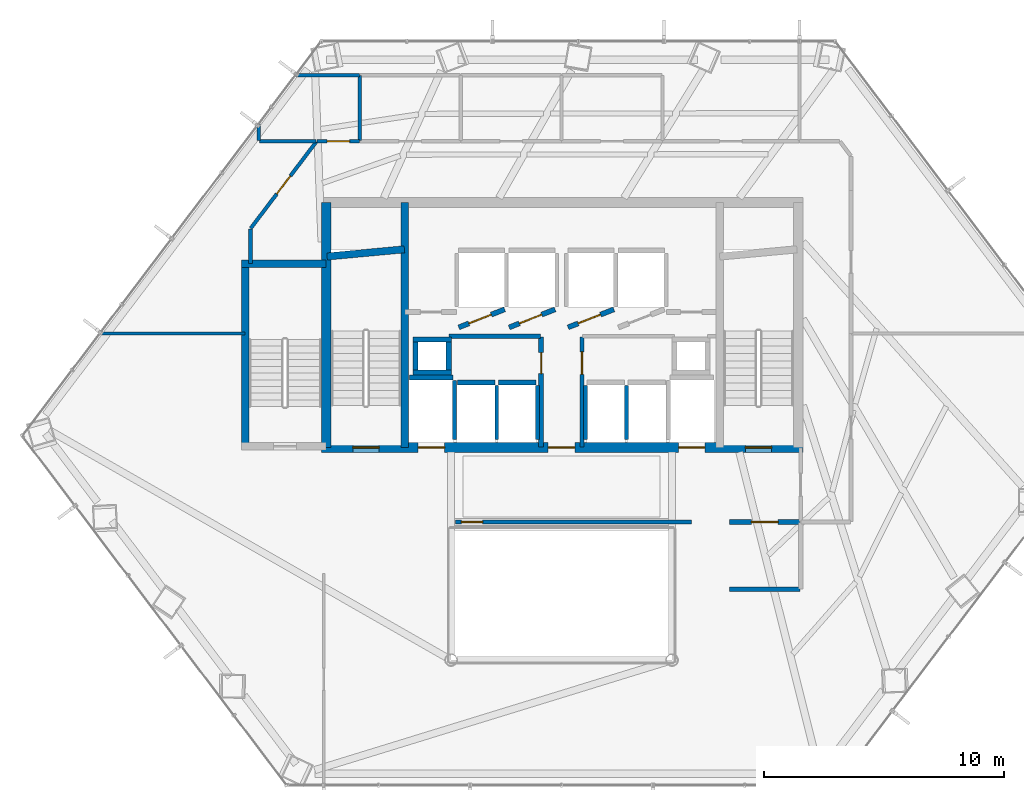
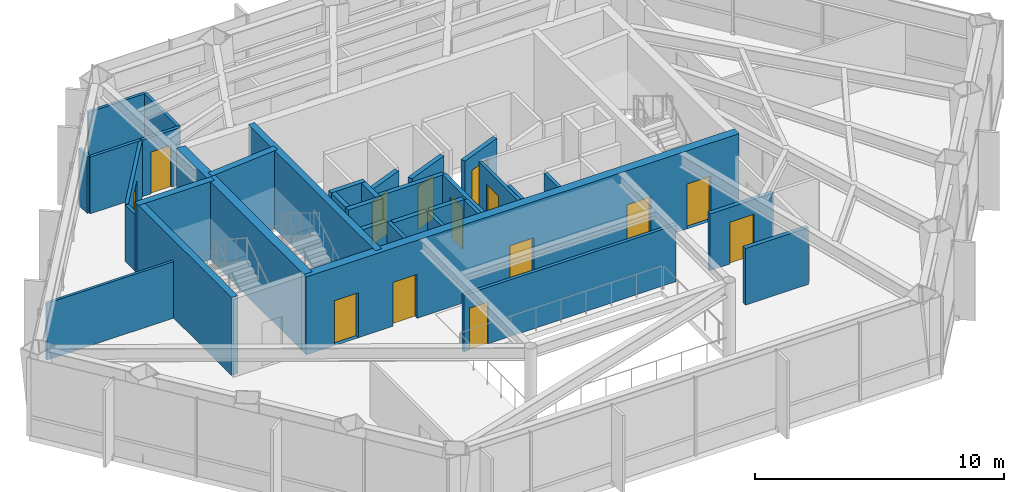
# One storey, part 23 of 26: 35 walls, 14 doors, 14 openings.
"""IFC4 building model written with IfcOpenShell, lengths in metres."""

from ifc_helpers import new_model, si_unit, direction, frame, frame_2d, origin, place, context, subcontext, project, spatial, rectangle, extrude, material, layer, layer_set, type_object, element, fill, save


model = new_model("IFC4")

# Units and contexts
model_context = context("Model", 3, precision=1e-05, world=origin(), true_north=direction((0.0, 1.0)))
body_context = subcontext(model_context, "Body", "Model", "MODEL_VIEW")
ifc_project = project(units=[si_unit("LENGTHUNIT", "METRE"), si_unit("AREAUNIT", "SQUARE_METRE"), si_unit("VOLUMEUNIT", "CUBIC_METRE"), si_unit("PLANEANGLEUNIT", "RADIAN"), si_unit("MASSUNIT", "GRAM", prefix="KILO")], contexts=[model_context])

# Site, building, storey
site_placement = place(None, origin())
site = spatial("IfcSite", under=ifc_project, at=site_placement, CompositionType="ELEMENT")
building_placement = place(site_placement, origin())
building = spatial("IfcBuilding", under=site, at=building_placement, Name="Zarrinselat Tower", CompositionType="ELEMENT")
storey_placement = place(building_placement, frame((0.0, 0.0, 35.699951171875)))
storey = spatial("IfcBuildingStorey", under=building, at=storey_placement, Name="L08", CompositionType="ELEMENT", Elevation=35.699951171875)

# Wall, opening, door
ifc_material_1 = material(Name="Concrete C40/50", Category="concrete")
ifc_layer_1 = layer(ifc_material_1, 0.18994140625)
ifc_layer_set_1 = layer_set([ifc_layer_1], Name="Concrete C40/50")
wall_type_1 = type_object("IfcWallType", Name="WAL-PART-EI120", PredefinedType="PARTITIONING", material=ifc_layer_set_1)
wall_1_placement = place(storey_placement, frame((45.385009765625, 30.14990234375, 0.0), z_axis=(0.0, 0.0, 1.0), x_axis=(1.0, 0.0, 0.0)))
wall_1 = element("IfcWall", 1, at=wall_1_placement, inside=storey, type_object=wall_type_1, Name="L08 Partition Wall 8", PredefinedType="PARTITIONING", context=body_context, shape_type="SweptSolid", body=[
    extrude(rectangle(XDim=2.945068359375, YDim=0.18994140625, at=frame_2d((1.47265625, 0.0))), origin(), (0.0, 0.0, 1.0), 2.777099609375),
])
opening_1_placement = place(wall_1_placement, frame((0.91259765625, 0.0, 0.0)))
opening_1 = element("IfcOpeningElement", 2, at=opening_1_placement, cuts=wall_1, Name="Opening ID-02", PredefinedType="OPENING", context=body_context, shape_type="SweptSolid", body=[
    extrude(rectangle(XDim=1.1201171875, YDim=2.050048828125, at=frame_2d((0.56005859375, 1.02490234375))), frame((0.0, 0.10498046875, 0.0), z_axis=(0.0, -1.0, 0.0), x_axis=(1.0, 0.0, 0.0)), (0.0, 0.0, 1.0), 0.2099609375),
])
ifc_material_2 = material(Name="Steel S355J2", Category="steel")
door_type_1 = type_object("IfcDoorType", Name="DR-INT-FD60-W", OperationType="NOTDEFINED", PredefinedType="DOOR", material=ifc_material_2)
door_1_placement = place(opening_1_placement, origin())
door_1 = element("IfcDoor", 3, at=door_1_placement, inside=storey, type_object=door_type_1, Name="L08 Interior Door P8", OperationType="SINGLE_SWING_LEFT", OverallHeight=2.050048828125, OverallWidth=1.1201171875, PredefinedType="DOOR", context=body_context, shape_type="SweptSolid", body=[
    extrude(rectangle(XDim=1.1201171875, YDim=2.050048828125, at=frame_2d((0.56005859375, 1.02490234375))), frame((0.0, 0.02490234375, 0.0), z_axis=(0.0, -1.0, 0.0), x_axis=(1.0, 0.0, 0.0)), (0.0, 0.0, 1.0), 0.050048828125),
])
fill(opening_1, door_1)

# Wall
wall_2_placement = place(storey_placement, frame((45.39990234375, 27.35009765625, 0.0), z_axis=(0.0, 0.0, 1.0), x_axis=(1.0, 0.0, 0.0)))
element("IfcWall", 4, at=wall_2_placement, inside=storey, type_object=wall_type_1, Name="L08 Partition Wall 11", PredefinedType="PARTITIONING", context=body_context, shape_type="SweptSolid", body=[
    extrude(rectangle(XDim=2.93017578125, YDim=0.18994140625, at=frame_2d((1.465087890625, 0.0))), origin(), (0.0, 0.0, 1.0), 2.777099609375),
])

# Wall, opening, door
ifc_material_3 = material(Name="Fire-Rated Gypsum Board Partition", Category="gypsum")
ifc_layer_2 = layer(ifc_material_3, 0.14990234375)
ifc_layer_set_2 = layer_set([ifc_layer_2], Name="Fire-Rated Gypsum Board Partition")
wall_type_2 = type_object("IfcWallType", Name="WAL-PART-EI60", PredefinedType="PARTITIONING", material=ifc_layer_set_2)
wall_3_placement = place(storey_placement, frame((39.25, 33.264892578125, 0.0), z_axis=(0.0, 0.0, 1.0), x_axis=(0.0, 1.0, 0.0)))
wall_3 = element("IfcWall", 5, at=wall_3_placement, inside=storey, type_object=wall_type_2, Name="L08 Partition Wall 7", PredefinedType="PARTITIONING", context=body_context, shape_type="SweptSolid", body=[
    extrude(rectangle(XDim=4.59521484375, YDim=0.14990234375, at=frame_2d((2.297607421875, 0.0))), origin(), (0.0, 0.0, 1.0), 2.777099609375),
])
opening_2_placement = place(wall_3_placement, frame((3.027587890625, 0.0, 0.0)))
opening_2 = element("IfcOpeningElement", 6, at=opening_2_placement, cuts=wall_3, Name="Opening ID-04", PredefinedType="OPENING", context=body_context, shape_type="SweptSolid", body=[
    extrude(rectangle(XDim=0.93994140625, YDim=2.050048828125, at=frame_2d((0.469970703125, 1.02490234375))), frame((0.0, 0.0849609375, 0.0), z_axis=(0.0, -1.0, 0.0), x_axis=(1.0, 0.0, 0.0)), (0.0, 0.0, 1.0), 0.169921875),
])
ifc_material_4 = material(Name="Fire-Rated Gypsum Board Partition")
door_type_2 = type_object("IfcDoorType", Name="DR-INT-FD30-ENT", OperationType="NOTDEFINED", PredefinedType="DOOR", material=ifc_material_4)
door_2_placement = place(opening_2_placement, origin())
door_2 = element("IfcDoor", 7, at=door_2_placement, inside=storey, type_object=door_type_2, Name="L08 Interior Door P7", OperationType="SINGLE_SWING_RIGHT", OverallHeight=2.050048828125, OverallWidth=0.93994140625, PredefinedType="DOOR", context=body_context, shape_type="SweptSolid", body=[
    extrude(rectangle(XDim=0.93994140625, YDim=2.050048828125, at=frame_2d((0.469970703125, 1.02490234375))), frame((0.0, 0.02490234375, 0.0), z_axis=(0.0, -1.0, 0.0), x_axis=(1.0, 0.0, 0.0)), (0.0, 0.0, 1.0), 0.050048828125),
])
fill(opening_2, door_2)

wall_4_placement = place(storey_placement, frame((33.985107421875, 30.14990234375, 0.0), z_axis=(0.0, 0.0, 1.0), x_axis=(1.0, 0.0, 0.0)))
wall_4 = element("IfcWall", 8, at=wall_4_placement, inside=storey, type_object=wall_type_2, Name="L08 Partition Wall 10", PredefinedType="PARTITIONING", context=body_context, shape_type="SweptSolid", body=[
    extrude(rectangle(XDim=9.829833984375, YDim=0.14990234375, at=frame_2d((4.9150390625, 0.0))), origin(), (0.0, 0.0, 1.0), 2.777099609375),
])
opening_3_placement = place(wall_4_placement, frame((0.25, 0.0, 0.0)))
opening_3 = element("IfcOpeningElement", 9, at=opening_3_placement, cuts=wall_4, Name="Opening ID-03", PredefinedType="OPENING", context=body_context, shape_type="SweptSolid", body=[
    extrude(rectangle(XDim=0.8798828125, YDim=2.050048828125, at=frame_2d((0.43994140625, 1.02490234375))), frame((0.0, 0.0849609375, 0.0), z_axis=(0.0, -1.0, 0.0), x_axis=(1.0, 0.0, 0.0)), (0.0, 0.0, 1.0), 0.169921875),
])
ifc_material_5 = material(Name="Steel S355J2", Category="steel")
door_type_3 = type_object("IfcDoorType", Name="DR-INT-FD60-S", OperationType="NOTDEFINED", PredefinedType="DOOR", material=ifc_material_5)
door_3_placement = place(opening_3_placement, origin())
door_3 = element("IfcDoor", 10, at=door_3_placement, inside=storey, type_object=door_type_3, Name="L08 Interior Door P10", OperationType="SINGLE_SWING_LEFT", OverallHeight=2.050048828125, OverallWidth=0.8798828125, PredefinedType="DOOR", context=body_context, shape_type="SweptSolid", body=[
    extrude(rectangle(XDim=0.8798828125, YDim=2.050048828125, at=frame_2d((0.43994140625, 1.02490234375))), frame((0.0, 0.02490234375, 0.0), z_axis=(0.0, -1.0, 0.0), x_axis=(1.0, 0.0, 0.0)), (0.0, 0.0, 1.0), 0.050048828125),
])
fill(opening_3, door_3)

wall_5_placement = place(storey_placement, frame((28.222900390625, 46.0, 0.0), z_axis=(0.0, 0.0, 1.0), x_axis=(1.0, 0.0, 0.0)))
wall_5 = element("IfcWall", 11, at=wall_5_placement, inside=storey, type_object=wall_type_2, Name="L08 Partition Wall 13", PredefinedType="PARTITIONING", context=body_context, shape_type="SweptSolid", body=[
    extrude(rectangle(XDim=1.772216796875, YDim=0.14990234375, at=frame_2d((0.88623046875, 0.0))), origin(), (0.0, 0.0, 1.0), 2.777099609375),
])
opening_4_placement = place(wall_5_placement, frame((0.416015625, 0.0, 0.0)))
opening_4 = element("IfcOpeningElement", 12, at=opening_4_placement, cuts=wall_5, Name="Opening ID-04", PredefinedType="OPENING", context=body_context, shape_type="SweptSolid", body=[
    extrude(rectangle(XDim=0.93994140625, YDim=2.050048828125, at=frame_2d((0.469970703125, 1.02490234375))), frame((0.0, 0.0849609375, 0.0), z_axis=(0.0, -1.0, 0.0), x_axis=(1.0, 0.0, 0.0)), (0.0, 0.0, 1.0), 0.169921875),
])
door_4_placement = place(opening_4_placement, origin())
door_4 = element("IfcDoor", 13, at=door_4_placement, inside=storey, type_object=door_type_2, Name="L08 Interior Door P13", OperationType="SINGLE_SWING_RIGHT", OverallHeight=2.050048828125, OverallWidth=0.93994140625, PredefinedType="DOOR", context=body_context, shape_type="SweptSolid", body=[
    extrude(rectangle(XDim=0.93994140625, YDim=2.050048828125, at=frame_2d((0.469970703125, 1.02490234375))), frame((0.0, 0.02490234375, 0.0), z_axis=(0.0, -1.0, 0.0), x_axis=(1.0, 0.0, 0.0)), (0.0, 0.0, 1.0), 0.050048828125),
])
fill(opening_4, door_4)

# Wall
wall_6_placement = place(storey_placement, frame((25.449951171875, 40.9150390625, 0.0), z_axis=(0.0, 0.0, 1.0), x_axis=(0.0, 1.0, 0.0)))
element("IfcWall", 14, at=wall_6_placement, inside=storey, type_object=wall_type_2, Name="L08 Partition Wall 19", PredefinedType="PARTITIONING", context=body_context, shape_type="SweptSolid", body=[
    extrude(rectangle(XDim=1.424560546875, YDim=0.14990234375, at=frame_2d((0.71240234375, 0.0))), origin(), (0.0, 0.0, 1.0), 2.777099609375),
])

# Wall, opening, door
wall_7_placement = place(storey_placement, frame((25.462158203125, 42.37548828125, 0.0), z_axis=(0.0, 0.0, 1.0), x_axis=(0.603832768772, 0.797111025741, 0.0)))
wall_7 = element("IfcWall", 15, at=wall_7_placement, inside=storey, type_object=wall_type_2, Name="L08 Partition Wall 20", PredefinedType="PARTITIONING", context=body_context, shape_type="SweptSolid", body=[
    extrude(rectangle(XDim=4.527099609375, YDim=0.14990234375, at=frame_2d((2.263671875, 0.0))), origin(), (0.0, 0.0, 1.0), 2.777099609375),
])
opening_5_placement = place(wall_7_placement, frame((1.79345703125, 0.0, 0.0)))
opening_5 = element("IfcOpeningElement", 16, at=opening_5_placement, cuts=wall_7, Name="Opening ID-04", PredefinedType="OPENING", context=body_context, shape_type="SweptSolid", body=[
    extrude(rectangle(XDim=0.93994140625, YDim=2.050048828125, at=frame_2d((0.469970703125, 1.02490234375))), frame((0.0, 0.0849609375, 0.0), z_axis=(0.0, -1.0, 0.0), x_axis=(1.0, 0.0, 0.0)), (0.0, 0.0, 1.0), 0.169921875),
])
door_5_placement = place(opening_5_placement, origin())
door_5 = element("IfcDoor", 17, at=door_5_placement, inside=storey, type_object=door_type_2, Name="L08 Interior Door P20", OperationType="SINGLE_SWING_LEFT", OverallHeight=2.050048828125, OverallWidth=0.93994140625, PredefinedType="DOOR", context=body_context, shape_type="SweptSolid", body=[
    extrude(rectangle(XDim=0.93994140625, YDim=2.050048828125, at=frame_2d((0.469970703125, 1.02490234375))), frame((0.0, 0.02490234375, 0.0), z_axis=(0.0, -1.0, 0.0), x_axis=(1.0, 0.0, 0.0)), (0.0, 0.0, 1.0), 0.050048828125),
])
fill(opening_5, door_5)

ifc_material_6 = material(Name="Concrete C40/50", Category="concrete")
ifc_layer_3 = layer(ifc_material_6, 0.199951171875)
ifc_layer_set_3 = layer_set([ifc_layer_3], Name="Concrete C40/50")
wall_type_3 = type_object("IfcWallType", Name="WAL-PART-PLANT", PredefinedType="PARTITIONING", material=ifc_layer_set_3)
wall_8_placement = place(storey_placement, frame((37.550048828125, 33.264892578125, 0.0), z_axis=(0.0, 0.0, 1.0), x_axis=(0.0, 1.0, 0.0)))
wall_8 = element("IfcWall", 18, at=wall_8_placement, inside=storey, type_object=wall_type_3, Name="L08 Partition Wall 1", PredefinedType="PARTITIONING", context=body_context, shape_type="SweptSolid", body=[
    extrude(rectangle(XDim=4.59521484375, YDim=0.199951171875, at=frame_2d((2.297607421875, 0.0))), origin(), (0.0, 0.0, 1.0), 2.777099609375),
])
opening_6_placement = place(wall_8_placement, frame((3.0576171875, 0.0, 0.0)))
opening_6 = element("IfcOpeningElement", 19, at=opening_6_placement, cuts=wall_8, Name="Opening ID-03", PredefinedType="OPENING", context=body_context, shape_type="SweptSolid", body=[
    extrude(rectangle(XDim=0.8798828125, YDim=2.050048828125, at=frame_2d((0.43994140625, 1.02490234375))), frame((0.0, 0.10986328125, 0.0), z_axis=(0.0, -1.0, 0.0), x_axis=(1.0, 0.0, 0.0)), (0.0, 0.0, 1.0), 0.219970703125),
])
door_6_placement = place(opening_6_placement, origin())
door_6 = element("IfcDoor", 20, at=door_6_placement, inside=storey, type_object=door_type_3, Name="L08 Interior Door P1", OperationType="SINGLE_SWING_LEFT", OverallHeight=2.050048828125, OverallWidth=0.8798828125, PredefinedType="DOOR", context=body_context, shape_type="SweptSolid", body=[
    extrude(rectangle(XDim=0.8798828125, YDim=2.050048828125, at=frame_2d((0.43994140625, 1.02490234375))), frame((0.0, 0.02490234375, 0.0), z_axis=(0.0, -1.0, 0.0), x_axis=(1.0, 0.0, 0.0)), (0.0, 0.0, 1.0), 0.050048828125),
])
fill(opening_6, door_6)

# Walls
wall_9_placement = place(storey_placement, frame((33.705078125, 37.8798828125, 0.0), z_axis=(0.0, 0.0, 1.0), x_axis=(1.0, 0.0, 0.0)))
element("IfcWall", 21, at=wall_9_placement, inside=storey, type_object=wall_type_3, Name="L08 Partition Wall 2", PredefinedType="PARTITIONING", context=body_context, shape_type="SweptSolid", body=[
    extrude(rectangle(XDim=3.824951171875, YDim=0.199951171875, at=frame_2d((1.91259765625, 0.0))), origin(), (0.0, 0.0, 1.0), 2.777099609375),
])
ifc_material_7 = material(Name="Fire-Rated Gypsum Board Partition", Category="gypsum")
ifc_layer_4 = layer(ifc_material_7, 0.1201171875)
ifc_layer_set_4 = layer_set([ifc_layer_4], Name="Fire-Rated Gypsum Board Partition")
wall_type_4 = type_object("IfcWallType", Name="WAL-PART-STD", PredefinedType="PARTITIONING", material=ifc_layer_set_4)
wall_10_placement = place(storey_placement, frame((19.201416015625, 38.0, 0.0), z_axis=(0.0, 0.0, 1.0), x_axis=(1.0, 0.0, 0.0)))
element("IfcWall", 22, at=wall_10_placement, inside=storey, type_object=wall_type_4, Name="L08 Partition Wall 37", PredefinedType="PARTITIONING", context=body_context, shape_type="SweptSolid", body=[
    extrude(rectangle(XDim=6.013671875, YDim=0.1201171875, at=frame_2d((3.0068359375, 0.0))), origin(), (0.0, 0.0, 1.0), 2.777099609375),
])
ifc_material_8 = material(Name="Fire-Rated Gypsum Board Partition", Category="gypsum")
ifc_layer_5 = layer(ifc_material_8, 0.135009765625)
ifc_layer_set_5 = layer_set([ifc_layer_5], Name="Fire-Rated Gypsum Board Partition")
wall_type_5 = type_object("IfcWallType", Name="WAL-PART-WET", PredefinedType="PARTITIONING", material=ifc_layer_set_5)
wall_11_placement = place(storey_placement, frame((30.0, 46.02001953125, 0.0), z_axis=(0.0, 0.0, 1.0), x_axis=(0.0, 1.0, 0.0)))
element("IfcWall", 23, at=wall_11_placement, inside=storey, type_object=wall_type_5, Name="L08 Partition Wall 26", PredefinedType="PARTITIONING", context=body_context, shape_type="SweptSolid", body=[
    extrude(rectangle(XDim=2.7099609375, YDim=0.135009765625, at=frame_2d((1.35498046875, 0.0))), origin(), (0.0, 0.0, 1.0), 2.777099609375),
])
wall_12_placement = place(storey_placement, frame((25.820068359375, 46.0, 0.0), z_axis=(0.0, 0.0, 1.0), x_axis=(1.0, 0.0, 0.0)))
element("IfcWall", 24, at=wall_12_placement, inside=storey, type_object=wall_type_5, Name="L08 Partition Wall 27", PredefinedType="PARTITIONING", context=body_context, shape_type="SweptSolid", body=[
    extrude(rectangle(XDim=2.36767578125, YDim=0.135009765625, at=frame_2d((1.183837890625, 0.0))), origin(), (0.0, 0.0, 1.0), 2.777099609375),
])
wall_13_placement = place(storey_placement, frame((25.800048828125, 46.02001953125, 0.0), z_axis=(0.0, 0.0, 1.0), x_axis=(0.0, 1.0, 0.0)))
element("IfcWall", 25, at=wall_13_placement, inside=storey, type_object=wall_type_5, Name="L08 Partition Wall 28", PredefinedType="PARTITIONING", context=body_context, shape_type="SweptSolid", body=[
    extrude(rectangle(XDim=0.69482421875, YDim=0.135009765625, at=frame_2d((0.347412109375, 0.0))), origin(), (0.0, 0.0, 1.0), 2.777099609375),
])
wall_14_placement = place(storey_placement, frame((27.345458984375, 48.75, 0.0), z_axis=(0.0, 0.0, 1.0), x_axis=(1.0, 0.0, 0.0)))
element("IfcWall", 26, at=wall_14_placement, inside=storey, type_object=wall_type_5, Name="L08 Partition Wall 29", PredefinedType="PARTITIONING", context=body_context, shape_type="SweptSolid", body=[
    extrude(rectangle(XDim=2.634521484375, YDim=0.135009765625, at=frame_2d((1.3173828125, 0.0))), origin(), (0.0, 0.0, 1.0), 2.777099609375),
])
ifc_material_9 = material(Name="Concrete C40/50", Category="concrete")
ifc_layer_6 = layer(ifc_material_9, 0.2099609375)
ifc_layer_set_6 = layer_set([ifc_layer_6], Name="Concrete C40/50")
wall_type_6 = type_object("IfcWallType", Name="WAL-SHAFT-210", PredefinedType="SOLIDWALL", material=ifc_layer_set_6)
wall_15_placement = place(storey_placement, frame((32.080078125, 36.155029296875, 0.0), z_axis=(0.0, 0.0, 1.0), x_axis=(1.0, 0.0, 0.0)))
element("IfcWall", 27, at=wall_15_placement, inside=storey, type_object=wall_type_6, Name="L08 Lift FFL1 North Shaft Wall", PredefinedType="SOLIDWALL", context=body_context, shape_type="SweptSolid", body=[
    extrude(rectangle(XDim=1.7998046875, YDim=0.2099609375, at=frame_2d((0.89990234375, 0.0))), origin(), (0.0, 0.0, 1.0), 2.7919921875),
])
wall_16_placement = place(storey_placement, frame((33.949951171875, 33.580078125, 0.0), z_axis=(0.0, 0.0, 1.0), x_axis=(0.0, 1.0, 0.0)))
element("IfcWall", 28, at=wall_16_placement, inside=storey, type_object=wall_type_6, Name="L08 Lift FFL1 E Shaft Wall", PredefinedType="SOLIDWALL", context=body_context, shape_type="SweptSolid", body=[
    extrude(rectangle(XDim=2.449951171875, YDim=0.159912109375, at=frame_2d((1.22509765625, 0.0))), origin(), (0.0, 0.0, 1.0), 2.7919921875),
])

# Wall, opening, door
wall_17_placement = place(storey_placement, frame((34.1201171875, 38.25, 0.0), z_axis=(0.0, 0.0, 1.0), x_axis=(0.930804993012, 0.36551616241, 0.0)))
wall_17 = element("IfcWall", 29, at=wall_17_placement, inside=storey, type_object=wall_type_6, Name="L08 Lift PL1 Front Shaft Wall", PredefinedType="SOLIDWALL", context=body_context, shape_type="SweptSolid", body=[
    extrude(rectangle(XDim=2.052001953125, YDim=0.2099609375, at=frame_2d((1.02587890625, 0.0))), origin(), (0.0, 0.0, 1.0), 2.7919921875),
])
opening_7_placement = place(wall_17_placement, frame((0.455078125, 0.0, 0.0)))
opening_7 = element("IfcOpeningElement", 30, at=opening_7_placement, cuts=wall_17, Name="Opening LD-PL1", PredefinedType="OPENING", context=body_context, shape_type="SweptSolid", body=[
    extrude(rectangle(XDim=1.0, YDim=2.10009765625, at=frame_2d((0.5, 1.050048828125))), frame((0.0, 0.114990234375, 0.0), z_axis=(0.0, -1.0, 0.0), x_axis=(1.0, 0.0, 0.0)), (0.0, 0.0, 1.0), 0.22998046875),
])
ifc_material_10 = material(Name="Steel S355J2", Category="steel")
door_type_4 = type_object("IfcDoorType", Name="DR-LIFT-PS-1000", OperationType="NOTDEFINED", PredefinedType="DOOR", material=ifc_material_10)
door_7_placement = place(opening_7_placement, origin())
door_7 = element("IfcDoor", 31, at=door_7_placement, inside=storey, type_object=door_type_4, Name="L08 Lift PL1 Sliding Landing Door", OperationType="SLIDING_TO_LEFT", OverallHeight=2.10009765625, OverallWidth=1.0, PredefinedType="DOOR", context=body_context, shape_type="SweptSolid", body=[
    extrude(rectangle(XDim=1.0, YDim=2.10009765625, at=frame_2d((0.5, 1.050048828125))), frame((0.0, 0.02490234375, 0.0), z_axis=(0.0, -1.0, 0.0), x_axis=(1.0, 0.0, 0.0)), (0.0, 0.0, 1.0), 0.050048828125),
])
fill(opening_7, door_7)

wall_18_placement = place(storey_placement, frame((36.219970703125, 38.25, 0.0), z_axis=(0.0, 0.0, 1.0), x_axis=(0.930804993012, 0.36551616241, 0.0)))
wall_18 = element("IfcWall", 32, at=wall_18_placement, inside=storey, type_object=wall_type_6, Name="L08 Lift PL2 Front Shaft Wall", PredefinedType="SOLIDWALL", context=body_context, shape_type="SweptSolid", body=[
    extrude(rectangle(XDim=2.052001953125, YDim=0.2099609375, at=frame_2d((1.02587890625, 0.0))), origin(), (0.0, 0.0, 1.0), 2.7919921875),
])
opening_8_placement = place(wall_18_placement, frame((0.455078125, 0.0, 0.0)))
opening_8 = element("IfcOpeningElement", 33, at=opening_8_placement, cuts=wall_18, Name="Opening LD-PL2", PredefinedType="OPENING", context=body_context, shape_type="SweptSolid", body=[
    extrude(rectangle(XDim=1.0, YDim=2.10009765625, at=frame_2d((0.5, 1.050048828125))), frame((0.0, 0.114990234375, 0.0), z_axis=(0.0, -1.0, 0.0), x_axis=(1.0, 0.0, 0.0)), (0.0, 0.0, 1.0), 0.22998046875),
])
door_8_placement = place(opening_8_placement, origin())
door_8 = element("IfcDoor", 34, at=door_8_placement, inside=storey, type_object=door_type_4, Name="L08 Lift PL2 Sliding Landing Door", OperationType="SLIDING_TO_RIGHT", OverallHeight=2.10009765625, OverallWidth=1.0, PredefinedType="DOOR", context=body_context, shape_type="SweptSolid", body=[
    extrude(rectangle(XDim=1.0, YDim=2.10009765625, at=frame_2d((0.5, 1.050048828125))), frame((0.0, 0.02490234375, 0.0), z_axis=(0.0, -1.0, 0.0), x_axis=(1.0, 0.0, 0.0)), (0.0, 0.0, 1.0), 0.050048828125),
])
fill(opening_8, door_8)

wall_19_placement = place(storey_placement, frame((38.669921875, 38.25, 0.0), z_axis=(0.0, 0.0, 1.0), x_axis=(0.930820886763, 0.3654756856, 0.0)))
wall_19 = element("IfcWall", 35, at=wall_19_placement, inside=storey, type_object=wall_type_6, Name="L08 Lift PL3 Front Shaft Wall", PredefinedType="SOLIDWALL", context=body_context, shape_type="SweptSolid", body=[
    extrude(rectangle(XDim=2.052001953125, YDim=0.2099609375, at=frame_2d((1.02587890625, 0.0))), origin(), (0.0, 0.0, 1.0), 2.7919921875),
])
opening_9_placement = place(wall_19_placement, frame((0.455078125, 0.0, 0.0)))
opening_9 = element("IfcOpeningElement", 36, at=opening_9_placement, cuts=wall_19, Name="Opening LD-PL3", PredefinedType="OPENING", context=body_context, shape_type="SweptSolid", body=[
    extrude(rectangle(XDim=1.0, YDim=2.10009765625, at=frame_2d((0.5, 1.050048828125))), frame((0.0, 0.114990234375, 0.0), z_axis=(0.0, -1.0, 0.0), x_axis=(1.0, 0.0, 0.0)), (0.0, 0.0, 1.0), 0.22998046875),
])
door_9_placement = place(opening_9_placement, origin())
door_9 = element("IfcDoor", 37, at=door_9_placement, inside=storey, type_object=door_type_4, Name="L08 Lift PL3 Sliding Landing Door", OperationType="SLIDING_TO_LEFT", OverallHeight=2.10009765625, OverallWidth=1.0, PredefinedType="DOOR", context=body_context, shape_type="SweptSolid", body=[
    extrude(rectangle(XDim=1.0, YDim=2.10009765625, at=frame_2d((0.5, 1.050048828125))), frame((0.0, 0.02490234375, 0.0), z_axis=(0.0, -1.0, 0.0), x_axis=(1.0, 0.0, 0.0)), (0.0, 0.0, 1.0), 0.050048828125),
])
fill(opening_9, door_9)

# Walls
wall_20_placement = place(storey_placement, frame((34.070068359375, 35.955078125, 0.0), z_axis=(0.0, 0.0, 1.0), x_axis=(1.0, 0.0, 0.0)))
element("IfcWall", 38, at=wall_20_placement, inside=storey, type_object=wall_type_6, Name="L08 Lift PL5 North Shaft Wall", PredefinedType="SOLIDWALL", context=body_context, shape_type="SweptSolid", body=[
    extrude(rectangle(XDim=1.559814453125, YDim=0.2099609375, at=frame_2d((0.77978515625, 0.0))), origin(), (0.0, 0.0, 1.0), 2.7919921875),
])
wall_21_placement = place(storey_placement, frame((35.699951171875, 33.580078125, 0.0), z_axis=(0.0, 0.0, 1.0), x_axis=(0.0, 1.0, 0.0)))
element("IfcWall", 39, at=wall_21_placement, inside=storey, type_object=wall_type_6, Name="L08 Lift PL5 E Shaft Wall", PredefinedType="SOLIDWALL", context=body_context, shape_type="SweptSolid", body=[
    extrude(rectangle(XDim=2.25, YDim=0.159912109375, at=frame_2d((1.125, 0.0))), origin(), (0.0, 0.0, 1.0), 2.7919921875),
])
wall_22_placement = place(storey_placement, frame((35.77001953125, 35.955078125, 0.0), z_axis=(0.0, 0.0, 1.0), x_axis=(1.0, 0.0, 0.0)))
element("IfcWall", 40, at=wall_22_placement, inside=storey, type_object=wall_type_6, Name="L08 Lift PL6 North Shaft Wall", PredefinedType="SOLIDWALL", context=body_context, shape_type="SweptSolid", body=[
    extrude(rectangle(XDim=1.56005859375, YDim=0.2099609375, at=frame_2d((0.780029296875, 0.0))), origin(), (0.0, 0.0, 1.0), 2.7919921875),
])
for number, where, z_axis, x_axis, name in (
    (41, (37.39990234375, 33.580078125, 0.0), (0.0, 0.0, 1.0), (0.0, 1.0, 0.0), "L08 Lift PL6 E Shaft Wall"),
    (42, (39.39990234375, 33.580078125, 0.0), (0.0, 0.0, 1.0), (0.0, 1.0, 0.0), "L08 Lift PL8 W Shaft Wall"),
    (43, (41.10009765625, 33.580078125, 0.0), (0.0, 0.0, 1.0), (0.0, 1.0, 0.0), "L08 Lift PL8 E Shaft Wall"),
):
    element("IfcWall", number, at=place(storey_placement, frame(where, z_axis=z_axis, x_axis=x_axis)), inside=storey, type_object=wall_type_6, Name=name, PredefinedType="SOLIDWALL", context=body_context, shape_type="SweptSolid", body=[
        extrude(rectangle(XDim=2.25, YDim=0.159912109375, at=frame_2d((1.125, 0.0))), origin(), (0.0, 0.0, 1.0), 2.7919921875),
    ])
for number, where, z_axis, x_axis, name in (
    (44, (32.2099609375, 36.375, 0.0), (0.0, 0.0, 1.0), (1.0, 0.0, 0.0), "L08 Core Riser RSR-W S Shaft Wall"),
    (45, (32.2099609375, 37.7451171875, 0.0), (0.0, 0.0, 1.0), (1.0, 0.0, 0.0), "L08 Core Riser RSR-W N Shaft Wall"),
):
    element("IfcWall", number, at=place(storey_placement, frame(where, z_axis=z_axis, x_axis=x_axis)), inside=storey, type_object=wall_type_6, Name=name, PredefinedType="SOLIDWALL", context=body_context, shape_type="SweptSolid", body=[
        extrude(rectangle(XDim=1.60009765625, YDim=0.2099609375, at=frame_2d((0.800048828125, 0.0))), origin(), (0.0, 0.0, 1.0), 3.820068359375),
    ])
for number, where, z_axis, x_axis, name in (
    (46, (32.31494140625, 36.485107421875, 0.0), (0.0, 0.0, 1.0), (0.0, 1.0, 0.0), "L08 Core Riser RSR-W W Shaft Wall"),
    (47, (33.705078125, 36.485107421875, 0.0), (0.0, 0.0, 1.0), (0.0, 1.0, 0.0), "L08 Core Riser RSR-W E Shaft Wall"),
):
    element("IfcWall", number, at=place(storey_placement, frame(where, z_axis=z_axis, x_axis=x_axis)), inside=storey, type_object=wall_type_6, Name=name, PredefinedType="SOLIDWALL", context=body_context, shape_type="SweptSolid", body=[
        extrude(rectangle(XDim=1.14990234375, YDim=0.2099609375, at=frame_2d((0.574951171875, 0.0))), origin(), (0.0, 0.0, 1.0), 3.820068359375),
    ])
ifc_material_11 = material(Name="Concrete C40/50", Category="concrete")
ifc_layer_7 = layer(ifc_material_11, 0.300048828125)
ifc_layer_set_7 = layer_set([ifc_layer_7], Name="Concrete C40/50")
wall_type_7 = type_object("IfcWallType", Name="WAL-SHEAR-300", PredefinedType="SHEAR", material=ifc_layer_set_7)
wall_23_placement = place(storey_placement, frame((31.8701171875, 33.25, 0.0), z_axis=(0.0, 0.0, 1.0), x_axis=(0.0, 1.0, 0.0)))
element("IfcWall", 48, at=wall_23_placement, inside=storey, type_object=wall_type_7, Name="L08 Core Shear Wall ST1E", PredefinedType="SHEAR", context=body_context, shape_type="SweptSolid", body=[
    extrude(rectangle(XDim=10.199951171875, YDim=0.300048828125, at=frame_2d((5.10009765625, 0.0))), origin(), (0.0, 0.0, 1.0), 3.820068359375),
])
wall_24_placement = place(storey_placement, frame((28.639892578125, 41.199951171875, 0.0), z_axis=(0.0, 0.0, 1.0), x_axis=(0.995687118776, 0.092774789157, 0.0)))
element("IfcWall", 49, at=wall_24_placement, inside=storey, type_object=wall_type_7, Name="L08 Stair 1 North Shaft Wall", PredefinedType="SHEAR", context=body_context, shape_type="SweptSolid", body=[
    extrude(rectangle(XDim=3.234130859375, YDim=0.300048828125, at=frame_2d((1.6171875, 0.0))), origin(), (0.0, 0.0, 1.0), 3.820068359375),
])
wall_25_placement = place(storey_placement, frame((25.080078125, 40.89990234375, 0.0), z_axis=(0.0, 0.0, 1.0), x_axis=(1.0, 0.0, 0.0)))
element("IfcWall", 50, at=wall_25_placement, inside=storey, type_object=wall_type_7, Name="L08 Stair 3 North Shear Wall", PredefinedType="SHEAR", context=body_context, shape_type="SweptSolid", body=[
    extrude(rectangle(XDim=3.52001953125, YDim=0.300048828125, at=frame_2d((1.760009765625, 0.0))), origin(), (0.0, 0.0, 1.0), 3.820068359375),
])
wall_26_placement = place(storey_placement, frame((25.22998046875, 33.300048828125, 0.0), z_axis=(0.0, 0.0, 1.0), x_axis=(0.0, 1.0, 0.0)))
element("IfcWall", 51, at=wall_26_placement, inside=storey, type_object=wall_type_7, Name="L08 Stair 3 West Shear Wall", PredefinedType="SHEAR", context=body_context, shape_type="SweptSolid", body=[
    extrude(rectangle(XDim=7.599853515625, YDim=0.300048828125, at=frame_2d((3.7998046875, 0.0))), origin(), (0.0, 0.0, 1.0), 3.820068359375),
])

# Wall, openings, doors
ifc_material_12 = material(Name="Concrete C60/75", Category="concrete")
ifc_layer_8 = layer(ifc_material_12, 0.39990234375)
ifc_layer_set_8 = layer_set([ifc_layer_8], Name="Concrete C60/75")
wall_type_8 = type_object("IfcWallType", Name="WAL-SHEAR-400", PredefinedType="SHEAR", material=ifc_layer_set_8)
wall_27_placement = place(storey_placement, frame((28.39990234375, 33.25, 0.0), z_axis=(0.0, 0.0, 1.0), x_axis=(1.0, 0.0, 0.0)))
wall_27 = element("IfcWall", 52, at=wall_27_placement, inside=storey, type_object=wall_type_8, Name="L08 South Core Shear Wall", PredefinedType="SHEAR", context=body_context, shape_type="SweptSolid", body=[
    extrude(rectangle(XDim=20.06005859375, YDim=0.39990234375, at=frame_2d((10.030029296875, 0.0))), origin(), (0.0, 0.0, 1.0), 3.820068359375),
])
opening_10_placement = place(wall_27_placement, frame((4.030029296875, 0.0, 0.0)))
opening_10 = element("IfcOpeningElement", 53, at=opening_10_placement, cuts=wall_27, Name="Opening LD-FFL1", PredefinedType="OPENING", context=body_context, shape_type="SweptSolid", body=[
    extrude(rectangle(XDim=1.10009765625, YDim=2.14990234375, at=frame_2d((0.550048828125, 1.074951171875))), frame((0.0, 0.2099609375, 0.0), z_axis=(0.0, -1.0, 0.0), x_axis=(1.0, 0.0, 0.0)), (0.0, 0.0, 1.0), 0.419921875),
])
opening_11_placement = place(wall_27_placement, frame((14.8701171875, 0.0, 0.0)))
opening_11 = element("IfcOpeningElement", 54, at=opening_11_placement, cuts=wall_27, Name="Opening LD-FFL2", PredefinedType="OPENING", context=body_context, shape_type="SweptSolid", body=[
    extrude(rectangle(XDim=1.10009765625, YDim=2.14990234375, at=frame_2d((0.550048828125, 1.074951171875))), frame((0.0, 0.2099609375, 0.0), z_axis=(0.0, -1.0, 0.0), x_axis=(1.0, 0.0, 0.0)), (0.0, 0.0, 1.0), 0.419921875),
])
opening_12_placement = place(wall_27_placement, frame((1.31005859375, 0.0, 0.0)))
opening_12 = element("IfcOpeningElement", 55, at=opening_12_placement, cuts=wall_27, Name="Opening SD-01", PredefinedType="OPENING", context=body_context, shape_type="SweptSolid", body=[
    extrude(rectangle(XDim=1.10009765625, YDim=2.199951171875, at=frame_2d((0.550048828125, 1.10009765625))), frame((0.0, 0.2099609375, 0.0), z_axis=(0.0, -1.0, 0.0), x_axis=(1.0, 0.0, 0.0)), (0.0, 0.0, 1.0), 0.419921875),
])
opening_13_placement = place(wall_27_placement, frame((9.43994140625, 0.0, 0.0)))
opening_13 = element("IfcOpeningElement", 56, at=opening_13_placement, cuts=wall_27, Name="Opening ID-02", PredefinedType="OPENING", context=body_context, shape_type="SweptSolid", body=[
    extrude(rectangle(XDim=1.1201171875, YDim=2.050048828125, at=frame_2d((0.56005859375, 1.02490234375))), frame((0.0, 0.2099609375, 0.0), z_axis=(0.0, -1.0, 0.0), x_axis=(1.0, 0.0, 0.0)), (0.0, 0.0, 1.0), 0.419921875),
])
opening_14_placement = place(wall_27_placement, frame((17.64990234375, 0.0, 0.0)))
opening_14 = element("IfcOpeningElement", 57, at=opening_14_placement, cuts=wall_27, Name="Opening SD-01", PredefinedType="OPENING", context=body_context, shape_type="SweptSolid", body=[
    extrude(rectangle(XDim=1.10009765625, YDim=2.199951171875, at=frame_2d((0.550048828125, 1.10009765625))), frame((0.0, 0.2099609375, 0.0), z_axis=(0.0, -1.0, 0.0), x_axis=(1.0, 0.0, 0.0)), (0.0, 0.0, 1.0), 0.419921875),
])
door_10_placement = place(opening_13_placement, origin())
door_10 = element("IfcDoor", 58, at=door_10_placement, inside=storey, type_object=door_type_1, Name="L08 Core Service Vestibule Fire Door", OperationType="SINGLE_SWING_RIGHT", OverallHeight=2.050048828125, OverallWidth=1.1201171875, PredefinedType="DOOR", context=body_context, shape_type="SweptSolid", body=[
    extrude(rectangle(XDim=1.1201171875, YDim=2.050048828125, at=frame_2d((0.56005859375, 1.02490234375))), frame((0.0, 0.02490234375, 0.0), z_axis=(0.0, -1.0, 0.0), x_axis=(1.0, 0.0, 0.0)), (0.0, 0.0, 1.0), 0.050048828125),
])
fill(opening_13, door_10)
ifc_material_13 = material(Name="Steel S355J2", Category="steel")
door_type_5 = type_object("IfcDoorType", Name="DR-LIFT-FF-1100", OperationType="NOTDEFINED", PredefinedType="DOOR", material=ifc_material_13)
door_11_placement = place(opening_10_placement, origin())
door_11 = element("IfcDoor", 59, at=door_11_placement, inside=storey, type_object=door_type_5, Name="L08 Lift FFL1 Sliding Landing Door", OperationType="SLIDING_TO_LEFT", OverallHeight=2.14990234375, OverallWidth=1.10009765625, PredefinedType="DOOR", context=body_context, shape_type="SweptSolid", body=[
    extrude(rectangle(XDim=1.10009765625, YDim=2.14990234375, at=frame_2d((0.550048828125, 1.074951171875))), frame((0.0, 0.02490234375, 0.0), z_axis=(0.0, -1.0, 0.0), x_axis=(1.0, 0.0, 0.0)), (0.0, 0.0, 1.0), 0.050048828125),
])
fill(opening_10, door_11)
door_12_placement = place(opening_11_placement, origin())
door_12 = element("IfcDoor", 60, at=door_12_placement, inside=storey, type_object=door_type_5, Name="L08 Lift FFL2 Sliding Landing Door", OperationType="SLIDING_TO_RIGHT", OverallHeight=2.14990234375, OverallWidth=1.10009765625, PredefinedType="DOOR", context=body_context, shape_type="SweptSolid", body=[
    extrude(rectangle(XDim=1.10009765625, YDim=2.14990234375, at=frame_2d((0.550048828125, 1.074951171875))), frame((0.0, 0.02490234375, 0.0), z_axis=(0.0, -1.0, 0.0), x_axis=(1.0, 0.0, 0.0)), (0.0, 0.0, 1.0), 0.050048828125),
])
fill(opening_11, door_12)
ifc_material_14 = material(Name="Steel S355J2", Category="steel")
door_type_6 = type_object("IfcDoorType", Name="DR-STAIR-1100", OperationType="NOTDEFINED", PredefinedType="DOOR", material=ifc_material_14)
door_13_placement = place(opening_12_placement, origin())
door_13 = element("IfcDoor", 61, at=door_13_placement, inside=storey, type_object=door_type_6, Name="L08 Exit Stair 1 Fire Door", OperationType="SINGLE_SWING_LEFT", OverallHeight=2.199951171875, OverallWidth=1.10009765625, PredefinedType="DOOR", context=body_context, shape_type="SweptSolid", body=[
    extrude(rectangle(XDim=1.10009765625, YDim=2.199951171875, at=frame_2d((0.550048828125, 1.10009765625))), frame((0.0, 0.02490234375, 0.0), z_axis=(0.0, -1.0, 0.0), x_axis=(1.0, 0.0, 0.0)), (0.0, 0.0, 1.0), 0.050048828125),
])
fill(opening_12, door_13)
door_14_placement = place(opening_14_placement, origin())
door_14 = element("IfcDoor", 62, at=door_14_placement, inside=storey, type_object=door_type_6, Name="L08 Exit Stair 2 Fire Door", OperationType="SINGLE_SWING_RIGHT", OverallHeight=2.199951171875, OverallWidth=1.10009765625, PredefinedType="DOOR", context=body_context, shape_type="SweptSolid", body=[
    extrude(rectangle(XDim=1.10009765625, YDim=2.199951171875, at=frame_2d((0.550048828125, 1.10009765625))), frame((0.0, 0.02490234375, 0.0), z_axis=(0.0, -1.0, 0.0), x_axis=(1.0, 0.0, 0.0)), (0.0, 0.0, 1.0), 0.050048828125),
])
fill(opening_14, door_14)

# Wall
wall_28_placement = place(storey_placement, frame((28.60009765625, 33.25, 0.0), z_axis=(0.0, 0.0, 1.0), x_axis=(0.0, 1.0, 0.0)))
element("IfcWall", 63, at=wall_28_placement, inside=storey, type_object=wall_type_8, Name="L08 Core Shear Wall W", PredefinedType="SHEAR", context=body_context, shape_type="SweptSolid", body=[
    extrude(rectangle(XDim=10.199951171875, YDim=0.39990234375, at=frame_2d((5.10009765625, 0.0))), origin(), (0.0, 0.0, 1.0), 3.820068359375),
])

save(model, "model.ifc")
